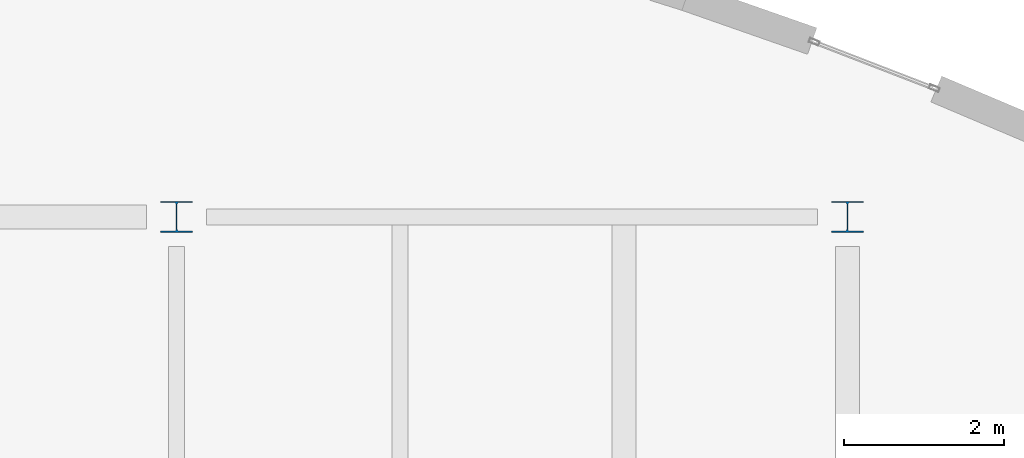
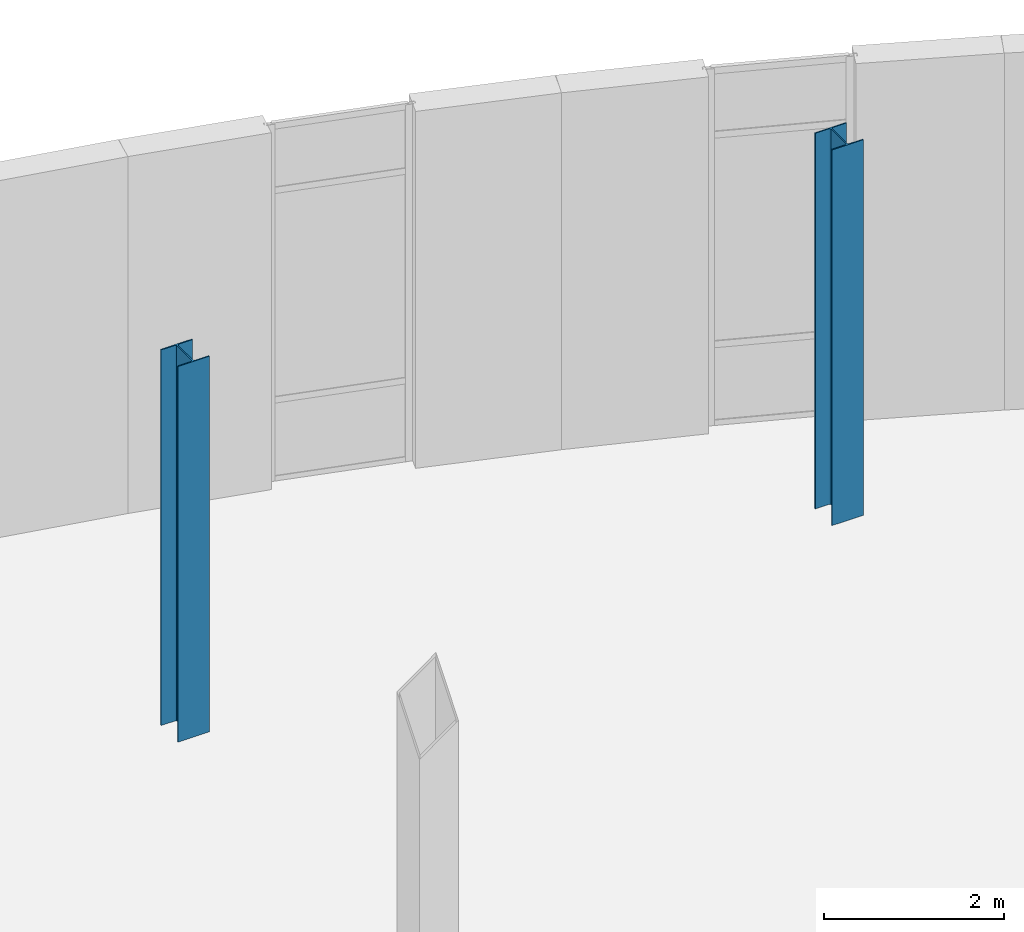
# One storey, part 11 of 104: 2 columns.
"""IFC4 building model written with IfcOpenShell, lengths in metres."""

from ifc_helpers import new_model, si_unit, direction, frame, origin, origin_2d, place, context, subcontext, project, spatial, i_section, extrude, material, material_profile, profile_set, type_object, element, save


model = new_model("IFC4")

# Units and contexts
model_context = context("Model", 3, precision=1e-05, world=origin(), true_north=direction((0.0, 1.0)))
body_context = subcontext(model_context, "Body", "Model", "MODEL_VIEW")
ifc_project = project(units=[si_unit("LENGTHUNIT", "METRE"), si_unit("AREAUNIT", "SQUARE_METRE"), si_unit("VOLUMEUNIT", "CUBIC_METRE"), si_unit("PLANEANGLEUNIT", "RADIAN"), si_unit("MASSUNIT", "GRAM", prefix="KILO"), si_unit("THERMODYNAMICTEMPERATUREUNIT", "KELVIN")], contexts=[model_context])

# Site, building, storey
site_placement = place(None, origin())
site = spatial("IfcSite", under=ifc_project, at=site_placement, CompositionType="ELEMENT")
building_placement = place(site_placement, origin())
building = spatial("IfcBuilding", under=site, at=building_placement, Name="Lustrewick Department Store", CompositionType="ELEMENT")
storey_placement = place(building_placement, frame((0.0, 0.0, 11.39990234375)))
storey = spatial("IfcBuildingStorey", under=building, at=storey_placement, Name="L03", CompositionType="ELEMENT", Elevation=11.39990234375)

# Columns
ifc_material = material(Name="Structural steel Q355B", Category="steel")
ifc_material_profile = material_profile(ifc_material, i_section(OverallWidth=0.402099609375, OverallDepth=0.387939453125, WebThickness=0.014892578125, FlangeThickness=0.014892578125, FilletRadius=0.02197265625, at=origin_2d()), Name="HW 388x402x15x15")
ifc_profile_set = profile_set([ifc_material_profile], Name="Structural steel Q355B")
column_type = type_object("IfcColumnType", Name="C12", PredefinedType="COLUMN", material=ifc_profile_set)
for number, where, z_axis, x_axis, name in (
    (1, (126.0, 106.199951171875, 0.0), (0.0, 0.0, 1.0), (1.0, 0.0, 0.0), "L03 V4 Column C12"),
    (2, (134.39990234375, 106.199951171875, 0.0), (0.0, 0.0, 1.0), (1.0, 0.0, 0.0), "L03 V4 Column C12"),
):
    element("IfcColumn", number, at=place(storey_placement, frame(where, z_axis=z_axis, x_axis=x_axis)), inside=storey, type_object=column_type, Name=name, PredefinedType="COLUMN", context=body_context, shape_type="SweptSolid", body=[
        extrude(i_section(OverallWidth=0.402099609375, OverallDepth=0.387939453125, WebThickness=0.014892578125, FlangeThickness=0.014892578125, FilletRadius=0.02197265625, at=origin_2d()), origin(), (0.0, 0.0, 1.0), 5.10009765625),
    ])

save(model, "model.ifc")
